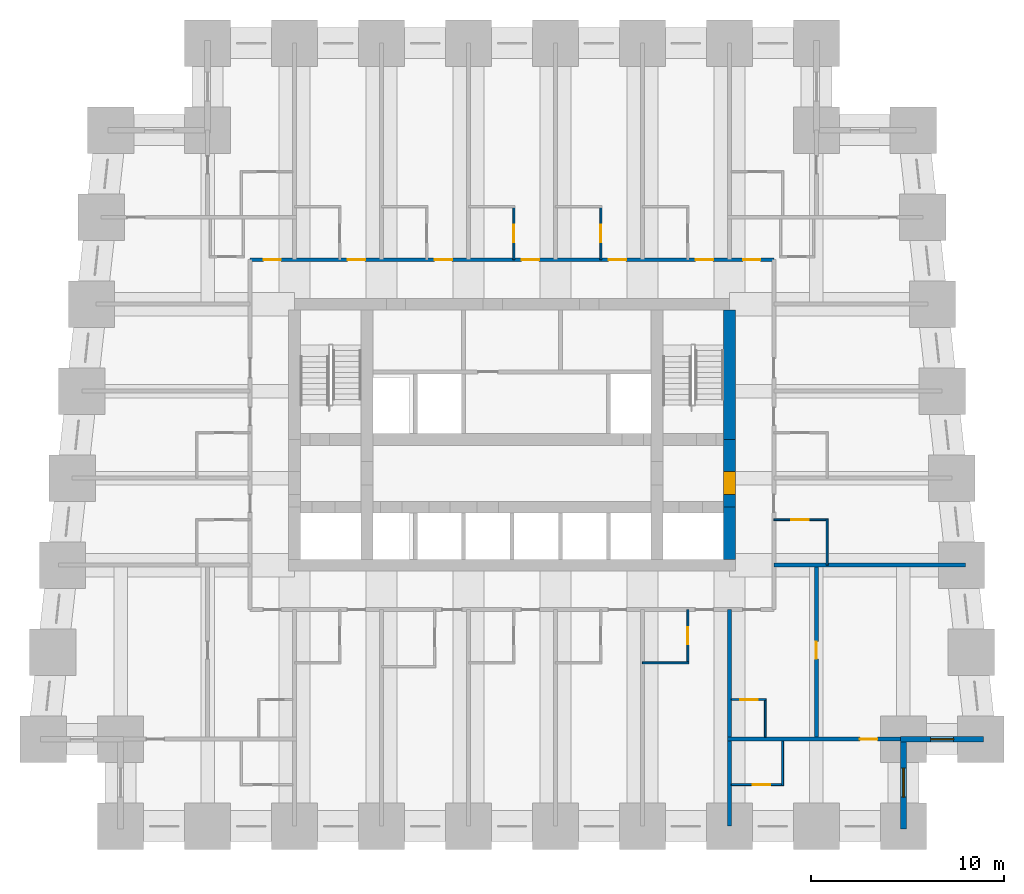
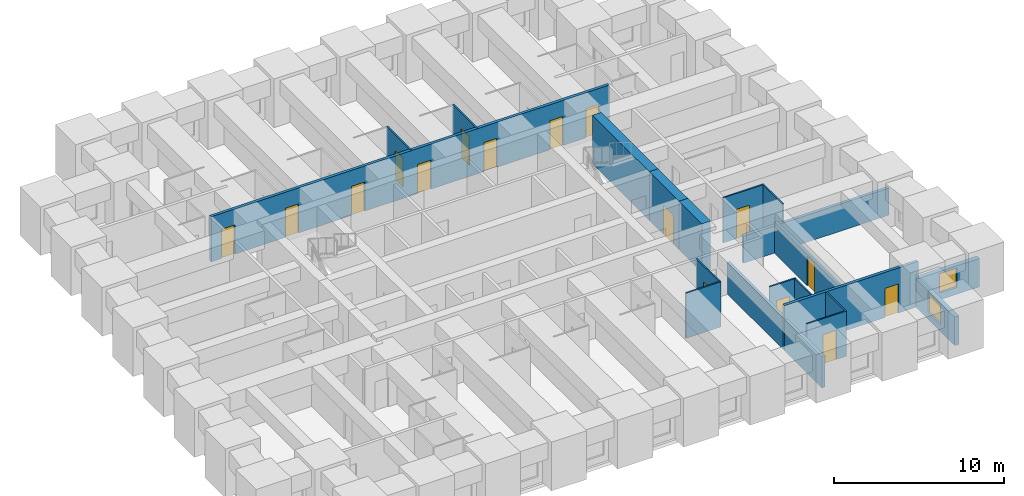
# One storey, part 5 of 8: 20 walls, 16 doors, 2 windows, 18 openings.
"""IFC4 building model written with IfcOpenShell, lengths in metres."""

import ifcopenshell
import ifcopenshell.guid

model = None  # the IFC model being written
_history = None  # IfcOwnerHistory: only IFC2X3 demands one
_inside = {}  # id of a spatial element -> (the spatial element, [elements in it])
_under = {}  # id of a project, library or spatial element -> (it, [spatial elements below it])
_declared = {}  # id of a project -> (the project, [libraries it declares])
_typed = {}  # id of a type object -> (the type object, [elements of that type])
_made_of = {}  # id of a material, layer set ... -> (it, [elements and type objects made of it])


def new_model(schema):
    """Start an empty IFC model of exactly this schema.

    Asked for "IFC4X3", IfcOpenShell would pick the latest addendum, in which some entities
    have other attributes; the version numbers below select the first issue.
    IFC2X3 requires an IfcOwnerHistory on every rooted entity: one is made here for all.
    """
    global model, _history
    if schema == "IFC4X3":
        model = ifcopenshell.file(schema_version=(4, 3, 0, 0))
    else:
        model = ifcopenshell.file(schema=schema)
    _inside.clear()
    _under.clear()
    _declared.clear()
    _typed.clear()
    _made_of.clear()
    _history = None
    if model.schema == "IFC2X3":
        org = make("IfcOrganization", Name="unknown")
        user = make(
            "IfcPersonAndOrganization",
            ThePerson=make("IfcPerson", FamilyName="unknown"),
            TheOrganization=org,
        )
        app = make(
            "IfcApplication",
            ApplicationDeveloper=org,
            Version="unknown",
            ApplicationFullName="unknown",
            ApplicationIdentifier="unknown",
        )
        _history = make(
            "IfcOwnerHistory",
            OwningUser=user,
            OwningApplication=app,
            ChangeAction="ADDED",
            CreationDate=0,
        )
    return model


def make(cls, **values):
    """One entity of the class cls with the attributes given. An attribute that is None is left unset."""
    return model.create_entity(
        cls, **{name: value for name, value in values.items() if value is not None}
    )


def rooted(cls, **values):
    """An entity with a GlobalId (a new one), such as an element, a storey or a relation."""
    return make(cls, GlobalId=ifcopenshell.guid.new(), OwnerHistory=_history, **values)


def si_unit(unit_type, name, prefix=None):
    """IfcSIUnit, for example si_unit("LENGTHUNIT", "METRE", prefix="MILLI")."""
    return make("IfcSIUnit", UnitType=unit_type, Prefix=prefix, Name=name)


def assignment(units):
    """IfcUnitAssignment: the units of a project."""
    return None if units is None else make("IfcUnitAssignment", Units=units)


def point(xyz):
    """IfcCartesianPoint."""
    return None if xyz is None else make("IfcCartesianPoint", Coordinates=xyz)


def direction(xyz):
    """IfcDirection."""
    return None if xyz is None else make("IfcDirection", DirectionRatios=xyz)


def frame(location, z_axis=None, x_axis=None):
    """IfcAxis2Placement3D, a coordinate frame: its origin and axes. An axis left out is left unset."""
    return make(
        "IfcAxis2Placement3D",
        Location=point(location),
        Axis=direction(z_axis),
        RefDirection=direction(x_axis),
    )


def frame_2d(location, x_axis=None):
    """IfcAxis2Placement2D, a coordinate frame in the plane: its origin and x axis."""
    return make(
        "IfcAxis2Placement2D", Location=point(location), RefDirection=direction(x_axis)
    )


def origin():
    """The frame at (0, 0, 0) with its axes left unset."""
    return frame((0.0, 0.0, 0.0))


def place(relative_to, where):
    """IfcLocalPlacement: puts the frame where relative to a parent placement (None: the world)."""
    return make(
        "IfcLocalPlacement", PlacementRelTo=relative_to, RelativePlacement=where
    )


def context(
    kind, dimensions, precision=None, world=None, true_north=None, identifier=None
):
    """IfcGeometricRepresentationContext, for example the 3D "Model" context."""
    return make(
        "IfcGeometricRepresentationContext",
        ContextIdentifier=identifier,
        ContextType=kind,
        CoordinateSpaceDimension=dimensions,
        Precision=precision,
        WorldCoordinateSystem=world,
        TrueNorth=true_north,
    )


def subcontext(parent, identifier, kind, view, scale=None):
    """IfcGeometricRepresentationSubContext, for example "Body" below "Model"."""
    return make(
        "IfcGeometricRepresentationSubContext",
        ContextIdentifier=identifier,
        ContextType=kind,
        ParentContext=parent,
        TargetScale=scale,
        TargetView=view,
    )


def project(units=None, contexts=None):
    """IfcProject with its units and contexts."""
    return rooted(
        "IfcProject",
        Name="project",
        RepresentationContexts=contexts,
        UnitsInContext=assignment(units),
    )


def spatial(cls, under=None, at=None, **own):
    """A site, building, storey or space (cls), placed at a placement, below another one or the project."""
    s = rooted(cls, ObjectPlacement=at, **own)
    if under is not None:
        _under.setdefault(under.id(), (under, []))[1].append(s)
    return s


def profile(cls, at=None, kind="AREA", **sizes):
    """A parametric profile (cls). Its sizes go by their IFC names, for example OverallWidth=200.0."""
    return make(cls, ProfileType=kind, Position=at, **sizes)


def rectangle(**sizes):
    """IfcRectangleProfileDef."""
    return profile("IfcRectangleProfileDef", **sizes)


def extrude(swept, where, along, depth):
    """IfcExtrudedAreaSolid: the profile swept, set in the frame where, extruded along a direction by depth."""
    return make(
        "IfcExtrudedAreaSolid",
        SweptArea=swept,
        Position=where,
        ExtrudedDirection=direction(along),
        Depth=depth,
    )


def shape(context_of_items, identifier, shape_type, items):
    """IfcShapeRepresentation: the items that make up one representation, for example the "Body"."""
    return make(
        "IfcShapeRepresentation",
        ContextOfItems=context_of_items,
        RepresentationIdentifier=identifier,
        RepresentationType=shape_type,
        Items=items,
    )


def material(Name=None, Category=None):
    """IfcMaterial."""
    return make("IfcMaterial", Name=Name, Category=Category)


def layer(
    of_material, thickness, ventilated=None, Name=None, Category=None, Priority=None
):
    """IfcMaterialLayer: one layer of a wall or slab, of a material (None: an air gap)."""
    return make(
        "IfcMaterialLayer",
        Material=of_material,
        LayerThickness=thickness,
        IsVentilated=ventilated,
        Name=Name,
        Category=Category,
        Priority=Priority,
    )


def layer_set(layers, Name=None):
    """IfcMaterialLayerSet."""
    return make("IfcMaterialLayerSet", MaterialLayers=layers, LayerSetName=Name)


def made_of(thing, what):
    """Note that an element or type object is made of a material, layer set ...; save() writes the relation."""
    if what is not None:
        _made_of.setdefault(what.id(), (what, []))[1].append(thing)
    return thing


def type_object(cls, material=None, **own):
    """A type object (cls), such as IfcWallType, which elements share."""
    return made_of(rooted(cls, **own), material)


def element(
    cls,
    number,
    at=None,
    inside=None,
    cuts=None,
    type_object=None,
    material=None,
    context=None,
    identifier="Body",
    shape_type=None,
    held_by="IfcProductDefinitionShape",
    body=None,
    shapes=None,
    **own,
):
    """One element of the class cls, such as IfcWall. Its Tag is "e" and its number.

    at: its placement. inside: the storey or other place that contains it. cuts: it is an
    opening in that element (IfcRelVoidsElement). A single representation is given by context,
    identifier, shape_type and body (its items); several are given by shapes. held_by: the class
    of the entity that holds the representations. save() writes the other relations.
    """
    e = rooted(cls, Tag="e%d" % number, ObjectPlacement=at, **own)
    if body is not None:
        shapes = [shape(context, identifier, shape_type, body)]
    if shapes is not None:
        e.Representation = make(held_by, Representations=shapes)
    if inside is not None:
        _inside.setdefault(inside.id(), (inside, []))[1].append(e)
    if cuts is not None:
        rooted(
            "IfcRelVoidsElement", RelatingBuildingElement=cuts, RelatedOpeningElement=e
        )
    if type_object is not None:
        _typed.setdefault(type_object.id(), (type_object, []))[1].append(e)
    return made_of(e, material)


def fill(opening, filler):
    """IfcRelFillsElement: the door or window that sits in an opening."""
    return rooted(
        "IfcRelFillsElement",
        RelatingOpeningElement=opening,
        RelatedBuildingElement=filler,
    )


def aggregate(whole, parts):
    """IfcRelAggregates: a whole, such as a stair, and the parts it consists of."""
    return rooted("IfcRelAggregates", RelatingObject=whole, RelatedObjects=parts)


def save(model, path):
    """Write the relations noted so far, then the file.

    IfcRelAggregates (storeys below a building ...), IfcRelContainedInSpatialStructure (elements
    in a storey), IfcRelDefinesByType, IfcRelAssociatesMaterial and IfcRelDeclares: one each for
    every whole, place, type object, material and project.
    """
    for whole, parts in _under.values():
        aggregate(whole, parts)
    for where, things in _inside.values():
        rooted(
            "IfcRelContainedInSpatialStructure",
            RelatedElements=things,
            RelatingStructure=where,
        )
    for kind, things in _typed.values():
        rooted("IfcRelDefinesByType", RelatedObjects=things, RelatingType=kind)
    for what, things in _made_of.values():
        rooted("IfcRelAssociatesMaterial", RelatedObjects=things, RelatingMaterial=what)
    for by, libraries in _declared.values():
        rooted("IfcRelDeclares", RelatingContext=by, RelatedDefinitions=libraries)
    model.write(path)


model = new_model("IFC4")

# Units and contexts
model_context = context("Model", 3, precision=1e-05, world=origin(), true_north=direction((0.0, 1.0)))
body_context = subcontext(model_context, "Body", "Model", "MODEL_VIEW")
ifc_project = project(units=[si_unit("LENGTHUNIT", "METRE"), si_unit("AREAUNIT", "SQUARE_METRE"), si_unit("VOLUMEUNIT", "CUBIC_METRE"), si_unit("PLANEANGLEUNIT", "RADIAN"), si_unit("MASSUNIT", "GRAM", prefix="KILO")], contexts=[model_context])

# Site, building, storey
site_placement = place(None, origin())
site = spatial("IfcSite", under=ifc_project, at=site_placement, CompositionType="ELEMENT")
building_placement = place(site_placement, origin())
building = spatial("IfcBuilding", under=site, at=building_placement, Name="Kilele Tower Hotel", CompositionType="ELEMENT")
storey_placement = place(building_placement, frame((0.0, 0.0, 29.699951171875)))
storey = spatial("IfcBuildingStorey", under=building, at=storey_placement, Name="L05", CompositionType="ELEMENT", Elevation=29.699951171875)

# Wall
ifc_material_1 = material(Name="Moisture-resistant board")
ifc_layer_1 = layer(ifc_material_1, 0.10009765625)
ifc_layer_set_1 = layer_set([ifc_layer_1], Name="Moisture-resistant board")
wall_type_1 = type_object("IfcWallType", Name="Bathroom partition 100", PredefinedType="PLUMBINGWALL", material=ifc_layer_set_1)
wall_1_placement = place(storey_placement, frame((31.5, 8.449951171875, 0.0), z_axis=(0.0, 0.0, 1.0), x_axis=(1.0, 0.0, 0.0)))
element("IfcWall", 1, at=wall_1_placement, inside=storey, type_object=wall_type_1, Name="Bathroom partition 100 L05", PredefinedType="PLUMBINGWALL", context=body_context, shape_type="SweptSolid", body=[
    extrude(rectangle(XDim=2.39990234375, YDim=0.10009765625, at=frame_2d((1.199951171875, 0.0))), origin(), (0.0, 0.0, 1.0), 3.25),
])

# Wall, opening, door
wall_2_placement = place(storey_placement, frame((33.85009765625, 11.199951171875, 0.0), z_axis=(0.0, 0.0, 1.0), x_axis=(0.0, -1.0, 0.0)))
wall_2 = element("IfcWall", 2, at=wall_2_placement, inside=storey, type_object=wall_type_1, Name="Bathroom partition 100 L05", PredefinedType="PLUMBINGWALL", context=body_context, shape_type="SweptSolid", body=[
    extrude(rectangle(XDim=2.800048828125, YDim=0.10009765625, at=frame_2d((1.39990234375, 0.0))), origin(), (0.0, 0.0, 1.0), 3.25),
])
opening_1_placement = place(wall_2_placement, frame((0.89990234375, 0.0, 0.0)))
opening_1 = element("IfcOpeningElement", 3, at=opening_1_placement, cuts=wall_2, Name="Opening D2A", PredefinedType="OPENING", context=body_context, shape_type="SweptSolid", body=[
    extrude(rectangle(XDim=0.89990234375, YDim=2.10009765625, at=frame_2d((0.449951171875, 1.050048828125))), frame((0.0, 0.06005859375, 0.0), z_axis=(0.0, -1.0, 0.0), x_axis=(1.0, 0.0, 0.0)), (0.0, 0.0, 1.0), 0.1201171875),
])
ifc_material_2 = material(Name="Timber door leaf in hardwood frame", Category="wood")
door_type_1 = type_object("IfcDoorType", Name="Bathroom door 900", OperationType="SINGLE_SWING_LEFT", PredefinedType="DOOR", material=ifc_material_2)
door_1_placement = place(opening_1_placement, origin())
door_1 = element("IfcDoor", 4, at=door_1_placement, inside=storey, type_object=door_type_1, Name="Bathroom door 0505B", OperationType="SINGLE_SWING_LEFT", OverallHeight=2.10009765625, OverallWidth=0.89990234375, PredefinedType="DOOR", context=body_context, shape_type="SweptSolid", body=[
    extrude(rectangle(XDim=0.89990234375, YDim=2.10009765625, at=frame_2d((0.449951171875, 1.050048828125))), frame((0.0, 0.02490234375, 0.0), z_axis=(0.0, -1.0, 0.0), x_axis=(1.0, 0.0, 0.0)), (0.0, 0.0, 1.0), 0.050048828125),
])
fill(opening_1, door_1)

# Wall
wall_3_placement = place(storey_placement, frame((41.050048828125, 13.5, 0.0), z_axis=(0.0, 0.0, 1.0), x_axis=(0.0, 1.0, 0.0)))
element("IfcWall", 5, at=wall_3_placement, inside=storey, type_object=wall_type_1, Name="Bathroom partition 100 L05", PredefinedType="PLUMBINGWALL", context=body_context, shape_type="SweptSolid", body=[
    extrude(rectangle(XDim=2.39990234375, YDim=0.10009765625, at=frame_2d((1.199951171875, 0.0))), origin(), (0.0, 0.0, 1.0), 3.25),
])

# Wall, opening, door
wall_4_placement = place(storey_placement, frame((38.300048828125, 15.85009765625, 0.0), z_axis=(0.0, 0.0, 1.0), x_axis=(1.0, 0.0, 0.0)))
wall_4 = element("IfcWall", 6, at=wall_4_placement, inside=storey, type_object=wall_type_1, Name="Bathroom partition 100 L05", PredefinedType="PLUMBINGWALL", context=body_context, shape_type="SweptSolid", body=[
    extrude(rectangle(XDim=2.800048828125, YDim=0.10009765625, at=frame_2d((1.39990234375, 0.0))), origin(), (0.0, 0.0, 1.0), 3.25),
])
opening_2_placement = place(wall_4_placement, frame((0.89990234375, 0.0, 0.0)))
opening_2 = element("IfcOpeningElement", 7, at=opening_2_placement, cuts=wall_4, Name="Opening D2A", PredefinedType="OPENING", context=body_context, shape_type="SweptSolid", body=[
    extrude(rectangle(XDim=0.89990234375, YDim=2.10009765625, at=frame_2d((0.449951171875, 1.050048828125))), frame((0.0, 0.06005859375, 0.0), z_axis=(0.0, -1.0, 0.0), x_axis=(1.0, 0.0, 0.0)), (0.0, 0.0, 1.0), 0.1201171875),
])
door_2_placement = place(opening_2_placement, origin())
door_2 = element("IfcDoor", 8, at=door_2_placement, inside=storey, type_object=door_type_1, Name="Bathroom door 0506B", OperationType="SINGLE_SWING_LEFT", OverallHeight=2.10009765625, OverallWidth=0.89990234375, PredefinedType="DOOR", context=body_context, shape_type="SweptSolid", body=[
    extrude(rectangle(XDim=0.89990234375, YDim=2.10009765625, at=frame_2d((0.449951171875, 1.050048828125))), frame((0.0, 0.02490234375, 0.0), z_axis=(0.0, -1.0, 0.0), x_axis=(1.0, 0.0, 0.0)), (0.0, 0.0, 1.0), 0.050048828125),
])
fill(opening_2, door_2)

wall_5_placement = place(storey_placement, frame((24.85009765625, 29.300048828125, 0.0), z_axis=(0.0, 0.0, 1.0), x_axis=(0.0, 1.0, 0.0)))
wall_5 = element("IfcWall", 9, at=wall_5_placement, inside=storey, type_object=wall_type_1, Name="Bathroom partition 100 L05", PredefinedType="PLUMBINGWALL", context=body_context, shape_type="SweptSolid", body=[
    extrude(rectangle(XDim=2.800048828125, YDim=0.10009765625, at=frame_2d((1.39990234375, 0.0))), origin(), (0.0, 0.0, 1.0), 3.25),
])
opening_3_placement = place(wall_5_placement, frame((1.7998046875, 0.0, 0.0), z_axis=(0.0, 0.0, 1.0), x_axis=(-1.0, 0.0, 0.0)))
opening_3 = element("IfcOpeningElement", 10, at=opening_3_placement, cuts=wall_5, Name="Opening D2A", PredefinedType="OPENING", context=body_context, shape_type="SweptSolid", body=[
    extrude(rectangle(XDim=0.89990234375, YDim=2.10009765625, at=frame_2d((0.449951171875, 1.050048828125))), frame((0.0, 0.06005859375, 0.0), z_axis=(0.0, -1.0, 0.0), x_axis=(1.0, 0.0, 0.0)), (0.0, 0.0, 1.0), 0.1201171875),
])
door_3_placement = place(opening_3_placement, origin())
door_3 = element("IfcDoor", 11, at=door_3_placement, inside=storey, type_object=door_type_1, Name="Bathroom door 0511B", OperationType="SINGLE_SWING_RIGHT", OverallHeight=2.10009765625, OverallWidth=0.89990234375, PredefinedType="DOOR", context=body_context, shape_type="SweptSolid", body=[
    extrude(rectangle(XDim=0.89990234375, YDim=2.10009765625, at=frame_2d((0.449951171875, 1.050048828125))), frame((0.0, 0.02490234375, 0.0), z_axis=(0.0, -1.0, 0.0), x_axis=(1.0, 0.0, 0.0)), (0.0, 0.0, 1.0), 0.050048828125),
])
fill(opening_3, door_3)

wall_6_placement = place(storey_placement, frame((29.35009765625, 29.300048828125, 0.0), z_axis=(0.0, 0.0, 1.0), x_axis=(0.0, 1.0, 0.0)))
wall_6 = element("IfcWall", 12, at=wall_6_placement, inside=storey, type_object=wall_type_1, Name="Bathroom partition 100 L05", PredefinedType="PLUMBINGWALL", context=body_context, shape_type="SweptSolid", body=[
    extrude(rectangle(XDim=2.800048828125, YDim=0.10009765625, at=frame_2d((1.39990234375, 0.0))), origin(), (0.0, 0.0, 1.0), 3.25),
])
opening_4_placement = place(wall_6_placement, frame((1.7998046875, 0.0, 0.0), z_axis=(0.0, 0.0, 1.0), x_axis=(-1.0, 0.0, 0.0)))
opening_4 = element("IfcOpeningElement", 13, at=opening_4_placement, cuts=wall_6, Name="Opening D2A", PredefinedType="OPENING", context=body_context, shape_type="SweptSolid", body=[
    extrude(rectangle(XDim=0.89990234375, YDim=2.10009765625, at=frame_2d((0.449951171875, 1.050048828125))), frame((0.0, 0.06005859375, 0.0), z_axis=(0.0, -1.0, 0.0), x_axis=(1.0, 0.0, 0.0)), (0.0, 0.0, 1.0), 0.1201171875),
])
door_4_placement = place(opening_4_placement, origin())
door_4 = element("IfcDoor", 14, at=door_4_placement, inside=storey, type_object=door_type_1, Name="Bathroom door 0512B", OperationType="SINGLE_SWING_RIGHT", OverallHeight=2.10009765625, OverallWidth=0.89990234375, PredefinedType="DOOR", context=body_context, shape_type="SweptSolid", body=[
    extrude(rectangle(XDim=0.89990234375, YDim=2.10009765625, at=frame_2d((0.449951171875, 1.050048828125))), frame((0.0, 0.02490234375, 0.0), z_axis=(0.0, -1.0, 0.0), x_axis=(1.0, 0.0, 0.0)), (0.0, 0.0, 1.0), 0.050048828125),
])
fill(opening_4, door_4)

# Wall
wall_7_placement = place(storey_placement, frame((37.85009765625, 4.60009765625, 0.0), z_axis=(0.0, 0.0, 1.0), x_axis=(0.0, 1.0, 0.0)))
element("IfcWall", 15, at=wall_7_placement, inside=storey, type_object=wall_type_1, Name="Bathroom partition 100 L05", PredefinedType="PLUMBINGWALL", context=body_context, shape_type="SweptSolid", body=[
    extrude(rectangle(XDim=2.0, YDim=0.10009765625, at=frame_2d((1.0, 0.0))), origin(), (0.0, 0.0, 1.0), 3.25),
])

# Wall, opening, door
wall_8_placement = place(storey_placement, frame((36.10009765625, 6.550048828125, 0.0), z_axis=(0.0, 0.0, 1.0), x_axis=(1.0, 0.0, 0.0)))
wall_8 = element("IfcWall", 16, at=wall_8_placement, inside=storey, type_object=wall_type_1, Name="Bathroom partition 100 L05", PredefinedType="PLUMBINGWALL", context=body_context, shape_type="SweptSolid", body=[
    extrude(rectangle(XDim=1.7998046875, YDim=0.10009765625, at=frame_2d((0.89990234375, 0.0))), origin(), (0.0, 0.0, 1.0), 3.25),
])
opening_5_placement = place(wall_8_placement, frame((0.449951171875, 0.0, 0.0)))
opening_5 = element("IfcOpeningElement", 17, at=opening_5_placement, cuts=wall_8, Name="Opening D2A", PredefinedType="OPENING", context=body_context, shape_type="SweptSolid", body=[
    extrude(rectangle(XDim=0.89990234375, YDim=2.10009765625, at=frame_2d((0.449951171875, 1.050048828125))), frame((0.0, 0.06005859375, 0.0), z_axis=(0.0, -1.0, 0.0), x_axis=(1.0, 0.0, 0.0)), (0.0, 0.0, 1.0), 0.1201171875),
])
door_5_placement = place(opening_5_placement, origin())
door_5 = element("IfcDoor", 18, at=door_5_placement, inside=storey, type_object=door_type_1, Name="Bathroom door 0520P", OperationType="SINGLE_SWING_LEFT", OverallHeight=2.10009765625, OverallWidth=0.89990234375, PredefinedType="DOOR", context=body_context, shape_type="SweptSolid", body=[
    extrude(rectangle(XDim=0.89990234375, YDim=2.10009765625, at=frame_2d((0.449951171875, 1.050048828125))), frame((0.0, 0.02490234375, 0.0), z_axis=(0.0, -1.0, 0.0), x_axis=(1.0, 0.0, 0.0)), (0.0, 0.0, 1.0), 0.050048828125),
])
fill(opening_5, door_5)

# Wall
wall_9_placement = place(storey_placement, frame((38.75, 4.39990234375, 0.0), z_axis=(0.0, 0.0, 1.0), x_axis=(0.0, -1.0, 0.0)))
element("IfcWall", 19, at=wall_9_placement, inside=storey, type_object=wall_type_1, Name="Bathroom partition 100 L05", PredefinedType="PLUMBINGWALL", context=body_context, shape_type="SweptSolid", body=[
    extrude(rectangle(XDim=2.2998046875, YDim=0.10009765625, at=frame_2d((1.14990234375, 0.0))), origin(), (0.0, 0.0, 1.0), 3.25),
])

# Wall, opening, door
wall_10_placement = place(storey_placement, frame((36.10009765625, 2.14990234375, 0.0), z_axis=(0.0, 0.0, 1.0), x_axis=(1.0, 0.0, 0.0)))
wall_10 = element("IfcWall", 20, at=wall_10_placement, inside=storey, type_object=wall_type_1, Name="Bathroom partition 100 L05", PredefinedType="PLUMBINGWALL", context=body_context, shape_type="SweptSolid", body=[
    extrude(rectangle(XDim=2.699951171875, YDim=0.10009765625, at=frame_2d((1.35009765625, 0.0))), origin(), (0.0, 0.0, 1.0), 3.25),
])
opening_6_placement = place(wall_10_placement, frame((2.0, 0.0, 0.0), z_axis=(0.0, 0.0, 1.0), x_axis=(-1.0, 0.0, 0.0)))
opening_6 = element("IfcOpeningElement", 21, at=opening_6_placement, cuts=wall_10, Name="Opening D2A", PredefinedType="OPENING", context=body_context, shape_type="SweptSolid", body=[
    extrude(rectangle(XDim=0.89990234375, YDim=2.10009765625, at=frame_2d((0.449951171875, 1.050048828125))), frame((0.0, 0.06005859375, 0.0), z_axis=(0.0, -1.0, 0.0), x_axis=(1.0, 0.0, 0.0)), (0.0, 0.0, 1.0), 0.1201171875),
])
door_6_placement = place(opening_6_placement, origin())
door_6 = element("IfcDoor", 22, at=door_6_placement, inside=storey, type_object=door_type_1, Name="Bathroom door 0522B", OperationType="SINGLE_SWING_RIGHT", OverallHeight=2.10009765625, OverallWidth=0.89990234375, PredefinedType="DOOR", context=body_context, shape_type="SweptSolid", body=[
    extrude(rectangle(XDim=0.89990234375, YDim=2.10009765625, at=frame_2d((0.449951171875, 1.050048828125))), frame((0.0, 0.02490234375, 0.0), z_axis=(0.0, -1.0, 0.0), x_axis=(1.0, 0.0, 0.0)), (0.0, 0.0, 1.0), 0.050048828125),
])
fill(opening_6, door_6)

# Wall
ifc_material_3 = material(Name="Concrete C60/75", Category="concrete")
ifc_layer_2 = layer(ifc_material_3, 0.60009765625)
ifc_layer_set_2 = layer_set([ifc_layer_2], Name="Concrete C60/75")
wall_type_2 = type_object("IfcWallType", Name="Core wall 600 C60/75", PredefinedType="SHEAR", material=ifc_layer_set_2)
wall_11_placement = place(storey_placement, frame((36.0, 13.800048828125, 0.0), z_axis=(0.0, 0.0, 1.0), x_axis=(0.0, 1.0, 0.0)))
element("IfcWall", 23, at=wall_11_placement, inside=storey, type_object=wall_type_2, Name="Core wall E1 L05", PredefinedType="SHEAR", context=body_context, shape_type="SweptSolid", body=[
    extrude(rectangle(XDim=2.699951171875, YDim=0.60009765625, at=frame_2d((1.35009765625, 0.0))), origin(), (0.0, 0.0, 1.0), 3.5),
])

# Wall, opening, door
wall_12_placement = place(storey_placement, frame((36.0, 16.5, 0.0), z_axis=(0.0, 0.0, 1.0), x_axis=(0.0, 1.0, 0.0)))
wall_12 = element("IfcWall", 24, at=wall_12_placement, inside=storey, type_object=wall_type_2, Name="Core wall E2 L05", PredefinedType="SHEAR", context=body_context, shape_type="SweptSolid", body=[
    extrude(rectangle(XDim=3.5, YDim=0.60009765625, at=frame_2d((1.75, 0.0))), origin(), (0.0, 0.0, 1.0), 3.5),
])
opening_7_placement = place(wall_12_placement, frame((0.64990234375, 0.0, 0.0)))
opening_7 = element("IfcOpeningElement", 25, at=opening_7_placement, cuts=wall_12, Name="Opening D4", PredefinedType="OPENING", context=body_context, shape_type="SweptSolid", body=[
    extrude(rectangle(XDim=1.199951171875, YDim=2.10009765625, at=frame_2d((0.60009765625, 1.050048828125))), frame((0.0, 0.31005859375, 0.0), z_axis=(0.0, -1.0, 0.0), x_axis=(1.0, 0.0, 0.0)), (0.0, 0.0, 1.0), 0.6201171875),
])
ifc_material_4 = material(Name="Timber door leaf in hardwood frame", Category="wood")
door_type_2 = type_object("IfcDoorType", Name="Firefighting lobby door 1200", OperationType="SINGLE_SWING_LEFT", PredefinedType="DOOR", material=ifc_material_4)
door_7_placement = place(opening_7_placement, origin())
door_7 = element("IfcDoor", 26, at=door_7_placement, inside=storey, type_object=door_type_2, Name="Lobby door L05", OperationType="SINGLE_SWING_LEFT", OverallHeight=2.10009765625, OverallWidth=1.199951171875, PredefinedType="DOOR", context=body_context, shape_type="SweptSolid", body=[
    extrude(rectangle(XDim=1.199951171875, YDim=2.10009765625, at=frame_2d((0.60009765625, 1.050048828125))), frame((0.0, 0.2998046875, 0.0), z_axis=(0.0, -1.0, 0.0), x_axis=(1.0, 0.0, 0.0)), (0.0, 0.0, 1.0), 0.599609375),
])
fill(opening_7, door_7)

# Wall
wall_13_placement = place(storey_placement, frame((36.0, 20.0, 0.0), z_axis=(0.0, 0.0, 1.0), x_axis=(0.0, 1.0, 0.0)))
element("IfcWall", 27, at=wall_13_placement, inside=storey, type_object=wall_type_2, Name="Core wall E3 L05", PredefinedType="SHEAR", context=body_context, shape_type="SweptSolid", body=[
    extrude(rectangle(XDim=6.699951171875, YDim=0.60009765625, at=frame_2d((3.35009765625, 0.0))), origin(), (0.0, 0.0, 1.0), 3.5),
])

# Wall, openings, doors
ifc_material_5 = material(Name="Blockwork, plastered both sides", Category="masonry")
ifc_layer_3 = layer(ifc_material_5, 0.199951171875)
ifc_layer_set_3 = layer_set([ifc_layer_3], Name="Blockwork, plastered both sides")
wall_type_3 = type_object("IfcWallType", Name="Corridor wall 200", PredefinedType="PARTITIONING", material=ifc_layer_set_3)
wall_14_placement = place(storey_placement, frame((11.199951171875, 29.300048828125, 0.0), z_axis=(0.0, 0.0, 1.0), x_axis=(1.0, 0.0, 0.0)))
wall_14 = element("IfcWall", 28, at=wall_14_placement, inside=storey, type_object=wall_type_3, Name="Corridor wall 200 L05", PredefinedType="PARTITIONING", context=body_context, shape_type="SweptSolid", body=[
    extrude(rectangle(XDim=27.10009765625, YDim=0.199951171875, at=frame_2d((13.550048828125, 0.0))), origin(), (0.0, 0.0, 1.0), 3.25),
])
opening_8_placement = place(wall_14_placement, frame((5.050048828125, 0.0, 0.0)))
opening_8 = element("IfcOpeningElement", 29, at=opening_8_placement, cuts=wall_14, Name="Opening D1", PredefinedType="OPENING", context=body_context, shape_type="SweptSolid", body=[
    extrude(rectangle(XDim=0.89990234375, YDim=2.10009765625, at=frame_2d((0.449951171875, 1.050048828125))), frame((0.0, 0.10986328125, 0.0), z_axis=(0.0, -1.0, 0.0), x_axis=(1.0, 0.0, 0.0)), (0.0, 0.0, 1.0), 0.219970703125),
])
opening_9_placement = place(wall_14_placement, frame((9.550048828125, 0.0, 0.0)))
opening_9 = element("IfcOpeningElement", 30, at=opening_9_placement, cuts=wall_14, Name="Opening D1", PredefinedType="OPENING", context=body_context, shape_type="SweptSolid", body=[
    extrude(rectangle(XDim=0.89990234375, YDim=2.10009765625, at=frame_2d((0.449951171875, 1.050048828125))), frame((0.0, 0.10986328125, 0.0), z_axis=(0.0, -1.0, 0.0), x_axis=(1.0, 0.0, 0.0)), (0.0, 0.0, 1.0), 0.219970703125),
])
opening_10_placement = place(wall_14_placement, frame((14.050048828125, 0.0, 0.0)))
opening_10 = element("IfcOpeningElement", 31, at=opening_10_placement, cuts=wall_14, Name="Opening D1", PredefinedType="OPENING", context=body_context, shape_type="SweptSolid", body=[
    extrude(rectangle(XDim=0.89990234375, YDim=2.10009765625, at=frame_2d((0.449951171875, 1.050048828125))), frame((0.0, 0.10986328125, 0.0), z_axis=(0.0, -1.0, 0.0), x_axis=(1.0, 0.0, 0.0)), (0.0, 0.0, 1.0), 0.219970703125),
])
opening_11_placement = place(wall_14_placement, frame((18.550048828125, 0.0, 0.0)))
opening_11 = element("IfcOpeningElement", 32, at=opening_11_placement, cuts=wall_14, Name="Opening D1", PredefinedType="OPENING", context=body_context, shape_type="SweptSolid", body=[
    extrude(rectangle(XDim=0.89990234375, YDim=2.10009765625, at=frame_2d((0.449951171875, 1.050048828125))), frame((0.0, 0.10986328125, 0.0), z_axis=(0.0, -1.0, 0.0), x_axis=(1.0, 0.0, 0.0)), (0.0, 0.0, 1.0), 0.219970703125),
])
opening_12_placement = place(wall_14_placement, frame((23.050048828125, 0.0, 0.0)))
opening_12 = element("IfcOpeningElement", 33, at=opening_12_placement, cuts=wall_14, Name="Opening D1", PredefinedType="OPENING", context=body_context, shape_type="SweptSolid", body=[
    extrude(rectangle(XDim=0.89990234375, YDim=2.10009765625, at=frame_2d((0.449951171875, 1.050048828125))), frame((0.0, 0.10986328125, 0.0), z_axis=(0.0, -1.0, 0.0), x_axis=(1.0, 0.0, 0.0)), (0.0, 0.0, 1.0), 0.219970703125),
])
opening_13_placement = place(wall_14_placement, frame((25.5, 0.0, 0.0)))
opening_13 = element("IfcOpeningElement", 34, at=opening_13_placement, cuts=wall_14, Name="Opening D1", PredefinedType="OPENING", context=body_context, shape_type="SweptSolid", body=[
    extrude(rectangle(XDim=0.89990234375, YDim=2.10009765625, at=frame_2d((0.449951171875, 1.050048828125))), frame((0.0, 0.10986328125, 0.0), z_axis=(0.0, -1.0, 0.0), x_axis=(1.0, 0.0, 0.0)), (0.0, 0.0, 1.0), 0.219970703125),
])
opening_14_placement = place(wall_14_placement, frame((0.699951171875, 0.0, 0.0)))
opening_14 = element("IfcOpeningElement", 35, at=opening_14_placement, cuts=wall_14, Name="Opening D1", PredefinedType="OPENING", context=body_context, shape_type="SweptSolid", body=[
    extrude(rectangle(XDim=0.89990234375, YDim=2.10009765625, at=frame_2d((0.449951171875, 1.050048828125))), frame((0.0, 0.10986328125, 0.0), z_axis=(0.0, -1.0, 0.0), x_axis=(1.0, 0.0, 0.0)), (0.0, 0.0, 1.0), 0.219970703125),
])
ifc_material_6 = material(Name="Timber door leaf in hardwood frame", Category="wood")
door_type_3 = type_object("IfcDoorType", Name="Guest room entrance door 900", OperationType="SINGLE_SWING_LEFT", PredefinedType="DOOR", material=ifc_material_6)
door_8_placement = place(opening_8_placement, origin())
door_8 = element("IfcDoor", 36, at=door_8_placement, inside=storey, type_object=door_type_3, Name="Room entrance 0509", OperationType="SINGLE_SWING_LEFT", OverallHeight=2.10009765625, OverallWidth=0.89990234375, PredefinedType="DOOR", context=body_context, shape_type="SweptSolid", body=[
    extrude(rectangle(XDim=0.89990234375, YDim=2.10009765625, at=frame_2d((0.449951171875, 1.050048828125))), frame((0.0, 0.02490234375, 0.0), z_axis=(0.0, -1.0, 0.0), x_axis=(1.0, 0.0, 0.0)), (0.0, 0.0, 1.0), 0.050048828125),
])
fill(opening_8, door_8)
door_9_placement = place(opening_9_placement, origin())
door_9 = element("IfcDoor", 37, at=door_9_placement, inside=storey, type_object=door_type_3, Name="Room entrance 0510", OperationType="SINGLE_SWING_LEFT", OverallHeight=2.10009765625, OverallWidth=0.89990234375, PredefinedType="DOOR", context=body_context, shape_type="SweptSolid", body=[
    extrude(rectangle(XDim=0.89990234375, YDim=2.10009765625, at=frame_2d((0.449951171875, 1.050048828125))), frame((0.0, 0.02490234375, 0.0), z_axis=(0.0, -1.0, 0.0), x_axis=(1.0, 0.0, 0.0)), (0.0, 0.0, 1.0), 0.050048828125),
])
fill(opening_9, door_9)
door_10_placement = place(opening_10_placement, origin())
door_10 = element("IfcDoor", 38, at=door_10_placement, inside=storey, type_object=door_type_3, Name="Room entrance 0511", OperationType="SINGLE_SWING_LEFT", OverallHeight=2.10009765625, OverallWidth=0.89990234375, PredefinedType="DOOR", context=body_context, shape_type="SweptSolid", body=[
    extrude(rectangle(XDim=0.89990234375, YDim=2.10009765625, at=frame_2d((0.449951171875, 1.050048828125))), frame((0.0, 0.02490234375, 0.0), z_axis=(0.0, -1.0, 0.0), x_axis=(1.0, 0.0, 0.0)), (0.0, 0.0, 1.0), 0.050048828125),
])
fill(opening_10, door_10)
door_11_placement = place(opening_11_placement, origin())
door_11 = element("IfcDoor", 39, at=door_11_placement, inside=storey, type_object=door_type_3, Name="Room entrance 0512", OperationType="SINGLE_SWING_LEFT", OverallHeight=2.10009765625, OverallWidth=0.89990234375, PredefinedType="DOOR", context=body_context, shape_type="SweptSolid", body=[
    extrude(rectangle(XDim=0.89990234375, YDim=2.10009765625, at=frame_2d((0.449951171875, 1.050048828125))), frame((0.0, 0.02490234375, 0.0), z_axis=(0.0, -1.0, 0.0), x_axis=(1.0, 0.0, 0.0)), (0.0, 0.0, 1.0), 0.050048828125),
])
fill(opening_11, door_11)
door_12_placement = place(opening_12_placement, origin())
door_12 = element("IfcDoor", 40, at=door_12_placement, inside=storey, type_object=door_type_3, Name="Room entrance 0513", OperationType="SINGLE_SWING_LEFT", OverallHeight=2.10009765625, OverallWidth=0.89990234375, PredefinedType="DOOR", context=body_context, shape_type="SweptSolid", body=[
    extrude(rectangle(XDim=0.89990234375, YDim=2.10009765625, at=frame_2d((0.449951171875, 1.050048828125))), frame((0.0, 0.02490234375, 0.0), z_axis=(0.0, -1.0, 0.0), x_axis=(1.0, 0.0, 0.0)), (0.0, 0.0, 1.0), 0.050048828125),
])
fill(opening_12, door_12)
door_13_placement = place(opening_13_placement, origin())
door_13 = element("IfcDoor", 41, at=door_13_placement, inside=storey, type_object=door_type_3, Name="Room entrance 0523", OperationType="SINGLE_SWING_LEFT", OverallHeight=2.10009765625, OverallWidth=0.89990234375, PredefinedType="DOOR", context=body_context, shape_type="SweptSolid", body=[
    extrude(rectangle(XDim=0.89990234375, YDim=2.10009765625, at=frame_2d((0.449951171875, 1.050048828125))), frame((0.0, 0.02490234375, 0.0), z_axis=(0.0, -1.0, 0.0), x_axis=(1.0, 0.0, 0.0)), (0.0, 0.0, 1.0), 0.050048828125),
])
fill(opening_13, door_13)
door_14_placement = place(opening_14_placement, origin())
door_14 = element("IfcDoor", 42, at=door_14_placement, inside=storey, type_object=door_type_3, Name="Room entrance 0526", OperationType="SINGLE_SWING_RIGHT", OverallHeight=2.10009765625, OverallWidth=0.89990234375, PredefinedType="DOOR", context=body_context, shape_type="SweptSolid", body=[
    extrude(rectangle(XDim=0.89990234375, YDim=2.10009765625, at=frame_2d((0.449951171875, 1.050048828125))), frame((0.0, 0.02490234375, 0.0), z_axis=(0.0, -1.0, 0.0), x_axis=(1.0, 0.0, 0.0)), (0.0, 0.0, 1.0), 0.050048828125),
])
fill(opening_14, door_14)

# Wall, opening, door
ifc_material_7 = material(Name="Blockwork, plastered both sides", Category="masonry")
ifc_layer_4 = layer(ifc_material_7, 0.199951171875)
ifc_layer_set_4 = layer_set([ifc_layer_4], Name="Blockwork, plastered both sides")
wall_type_4 = type_object("IfcWallType", Name="Partition wall 200", PredefinedType="PARTITIONING", material=ifc_layer_set_4)
wall_15_placement = place(storey_placement, frame((40.5, 4.60009765625, 0.0), z_axis=(0.0, 0.0, 1.0), x_axis=(0.0, 1.0, 0.0)))
wall_15 = element("IfcWall", 43, at=wall_15_placement, inside=storey, type_object=wall_type_4, Name="Partition wall 200 L05", PredefinedType="PARTITIONING", context=body_context, shape_type="SweptSolid", body=[
    extrude(rectangle(XDim=8.7998046875, YDim=0.199951171875, at=frame_2d((4.39990234375, 0.0))), origin(), (0.0, 0.0, 1.0), 2.25),
])
opening_15_placement = place(wall_15_placement, frame((4.050048828125, 0.0, 0.0)))
opening_15 = element("IfcOpeningElement", 44, at=opening_15_placement, cuts=wall_15, Name="Opening D3", PredefinedType="OPENING", context=body_context, shape_type="SweptSolid", body=[
    extrude(rectangle(XDim=0.89990234375, YDim=2.10009765625, at=frame_2d((0.449951171875, 1.050048828125))), frame((0.0, 0.10986328125, 0.0), z_axis=(0.0, -1.0, 0.0), x_axis=(1.0, 0.0, 0.0)), (0.0, 0.0, 1.0), 0.219970703125),
])
ifc_material_8 = material(Name="Timber door leaf in hardwood frame", Category="wood")
door_type_4 = type_object("IfcDoorType", Name="Suite internal door 900", OperationType="SINGLE_SWING_LEFT", PredefinedType="DOOR", material=ifc_material_8)
door_15_placement = place(opening_15_placement, origin())
door_15 = element("IfcDoor", 45, at=door_15_placement, inside=storey, type_object=door_type_4, Name="Suite door 0521", OperationType="SINGLE_SWING_RIGHT", OverallHeight=2.10009765625, OverallWidth=0.89990234375, PredefinedType="DOOR", context=body_context, shape_type="SweptSolid", body=[
    extrude(rectangle(XDim=0.89990234375, YDim=2.10009765625, at=frame_2d((0.449951171875, 1.050048828125))), frame((0.0, 0.02490234375, 0.0), z_axis=(0.0, -1.0, 0.0), x_axis=(1.0, 0.0, 0.0)), (0.0, 0.0, 1.0), 0.050048828125),
])
fill(opening_15, door_15)

# Walls
ifc_material_9 = material(Name="Blockwork, plastered both sides", Category="masonry")
ifc_layer_5 = layer(ifc_material_9, 0.199951171875)
ifc_layer_set_5 = layer_set([ifc_layer_5], Name="Blockwork, plastered both sides")
wall_type_5 = type_object("IfcWallType", Name="Party wall 200", PredefinedType="PARTITIONING", material=ifc_layer_set_5)
wall_16_placement = place(storey_placement, frame((38.300048828125, 13.5, 0.0), z_axis=(0.0, 0.0, 1.0), x_axis=(1.0, 0.0, 0.0)))
element("IfcWall", 46, at=wall_16_placement, inside=storey, type_object=wall_type_5, Name="Party wall 200 L05", PredefinedType="PARTITIONING", context=body_context, shape_type="SweptSolid", body=[
    extrude(rectangle(XDim=9.921142578125, YDim=0.199951171875, at=frame_2d((4.96044921875, 0.0))), origin(), (0.0, 0.0, 1.0), 1.949951171875),
])
wall_17_placement = place(storey_placement, frame((36.0, 11.199951171875, 0.0), z_axis=(0.0, 0.0, 1.0), x_axis=(0.0, -1.0, 0.0)))
element("IfcWall", 47, at=wall_17_placement, inside=storey, type_object=wall_type_5, Name="Party wall 200 L05", PredefinedType="PARTITIONING", context=body_context, shape_type="SweptSolid", body=[
    extrude(rectangle(XDim=11.199951171875, YDim=0.199951171875, at=frame_2d((5.60009765625, 0.0))), origin(), (0.0, 0.0, 1.0), 2.25),
])

# Wall, opening, door
wall_18_placement = place(storey_placement, frame((35.89990234375, 4.5, 0.0), z_axis=(0.0, 0.0, 1.0), x_axis=(1.0, 0.0, 0.0)))
wall_18 = element("IfcWall", 48, at=wall_18_placement, inside=storey, type_object=wall_type_5, Name="Party wall 200 L05", PredefinedType="PARTITIONING", context=body_context, shape_type="SweptSolid", body=[
    extrude(rectangle(XDim=9.10009765625, YDim=0.199951171875, at=frame_2d((4.550048828125, 0.0))), origin(), (0.0, 0.0, 1.0), 3.25),
])
opening_16_placement = place(wall_18_placement, frame((6.85009765625, 0.0, 0.0)))
opening_16 = element("IfcOpeningElement", 49, at=opening_16_placement, cuts=wall_18, Name="Opening D3", PredefinedType="OPENING", context=body_context, shape_type="SweptSolid", body=[
    extrude(rectangle(XDim=0.89990234375, YDim=2.10009765625, at=frame_2d((0.449951171875, 1.050048828125))), frame((0.0, 0.10986328125, 0.0), z_axis=(0.0, -1.0, 0.0), x_axis=(1.0, 0.0, 0.0)), (0.0, 0.0, 1.0), 0.219970703125),
])
door_16_placement = place(opening_16_placement, origin())
door_16 = element("IfcDoor", 50, at=door_16_placement, inside=storey, type_object=door_type_4, Name="Suite door 0522", OperationType="SINGLE_SWING_RIGHT", OverallHeight=2.10009765625, OverallWidth=0.89990234375, PredefinedType="DOOR", context=body_context, shape_type="SweptSolid", body=[
    extrude(rectangle(XDim=0.89990234375, YDim=2.10009765625, at=frame_2d((0.449951171875, 1.050048828125))), frame((0.0, 0.02490234375, 0.0), z_axis=(0.0, -1.0, 0.0), x_axis=(1.0, 0.0, 0.0)), (0.0, 0.0, 1.0), 0.050048828125),
])
fill(opening_16, door_16)

# Wall, opening, window
ifc_material_10 = material(Name="Concrete C40/50 precast", Category="concrete")
ifc_layer_6 = layer(ifc_material_10, 0.260009765625, Name="Precast backing", Category="LoadBearing")
ifc_material_11 = material(Name="Reconstituted stone finish", Category="masonry")
ifc_layer_7 = layer(ifc_material_11, 0.0400390625, Name="Face mix", Category="Finish")
ifc_layer_set_6 = layer_set([ifc_layer_6, ifc_layer_7], Name="Precast concrete C40/50, reconstituted stone finish")
wall_type_6 = type_object("IfcWallType", Name="Precast stone facade wall 300", PredefinedType="STANDARD", material=ifc_layer_set_6)
wall_19_placement = place(storey_placement, frame((45.0, -0.14990234375, 0.0), z_axis=(0.0, 0.0, 1.0), x_axis=(0.0, 1.0, 0.0)))
wall_19 = element("IfcWall", 51, at=wall_19_placement, inside=storey, type_object=wall_type_6, Name="Facade wall L05 edge 4", PredefinedType="STANDARD", context=body_context, shape_type="SweptSolid", body=[
    extrude(rectangle(XDim=4.7998046875, YDim=0.300048828125, at=frame_2d((2.39990234375, 0.0))), origin(), (0.0, 0.0, 1.0), 2.050048828125),
])
opening_17_placement = place(wall_19_placement, frame((1.64990234375, 0.0, 0.5)))
opening_17 = element("IfcOpeningElement", 52, at=opening_17_placement, cuts=wall_19, Name="Opening W1", PredefinedType="OPENING", context=body_context, shape_type="SweptSolid", body=[
    extrude(rectangle(XDim=1.5, YDim=1.39990234375, at=frame_2d((0.75, 0.699951171875))), frame((0.0, 0.159912109375, 0.0), z_axis=(0.0, -1.0, 0.0), x_axis=(1.0, 0.0, 0.0)), (0.0, 0.0, 1.0), 0.320068359375),
])
ifc_material_12 = material(Name="Aluminium frame, clear double glazing", Category="aluminium")
window_type_1 = type_object("IfcWindowType", Name="Window W1 1500 x 1400", PartitioningType="SINGLE_PANEL", PredefinedType="WINDOW", material=ifc_material_12)
window_1_placement = place(opening_17_placement, origin())
window_1 = element("IfcWindow", 53, at=window_1_placement, inside=storey, type_object=window_type_1, Name="Window L05", OverallHeight=1.39990234375, OverallWidth=1.5, PartitioningType="SINGLE_PANEL", PredefinedType="WINDOW", context=body_context, shape_type="SweptSolid", body=[
    extrude(rectangle(XDim=1.5, YDim=1.39990234375, at=frame_2d((0.75, 0.699951171875))), frame((0.0, 0.030029296875, 0.0), z_axis=(0.0, -1.0, 0.0), x_axis=(1.0, 0.0, 0.0)), (0.0, 0.0, 1.0), 0.06005859375),
])
fill(opening_17, window_1)

wall_20_placement = place(storey_placement, frame((44.85009765625, 4.5, 0.0), z_axis=(0.0, 0.0, 1.0), x_axis=(1.0, 0.0, 0.0)))
wall_20 = element("IfcWall", 54, at=wall_20_placement, inside=storey, type_object=wall_type_6, Name="Facade wall L05 edge 5", PredefinedType="STANDARD", context=body_context, shape_type="SweptSolid", body=[
    extrude(rectangle(XDim=4.2998046875, YDim=0.300048828125, at=frame_2d((2.14990234375, 0.0))), origin(), (0.0, 0.0, 1.0), 2.050048828125),
])
opening_18_placement = place(wall_20_placement, frame((1.550048828125, 0.0, 0.5)))
opening_18 = element("IfcOpeningElement", 55, at=opening_18_placement, cuts=wall_20, Name="Opening W1", PredefinedType="OPENING", context=body_context, shape_type="SweptSolid", body=[
    extrude(rectangle(XDim=1.199951171875, YDim=1.39990234375, at=frame_2d((0.60009765625, 0.699951171875))), frame((0.0, 0.159912109375, 0.0), z_axis=(0.0, -1.0, 0.0), x_axis=(1.0, 0.0, 0.0)), (0.0, 0.0, 1.0), 0.320068359375),
])
ifc_material_13 = material(Name="Aluminium frame, clear double glazing", Category="aluminium")
window_type_2 = type_object("IfcWindowType", Name="Window W1 1200 x 1400", PartitioningType="SINGLE_PANEL", PredefinedType="WINDOW", material=ifc_material_13)
window_2_placement = place(opening_18_placement, origin())
window_2 = element("IfcWindow", 56, at=window_2_placement, inside=storey, type_object=window_type_2, Name="Window L05", OverallHeight=1.39990234375, OverallWidth=1.199951171875, PartitioningType="SINGLE_PANEL", PredefinedType="WINDOW", context=body_context, shape_type="SweptSolid", body=[
    extrude(rectangle(XDim=1.199951171875, YDim=1.39990234375, at=frame_2d((0.60009765625, 0.699951171875))), frame((0.0, 0.030029296875, 0.0), z_axis=(0.0, -1.0, 0.0), x_axis=(1.0, 0.0, 0.0)), (0.0, 0.0, 1.0), 0.06005859375),
])
fill(opening_18, window_2)

save(model, "model.ifc")
